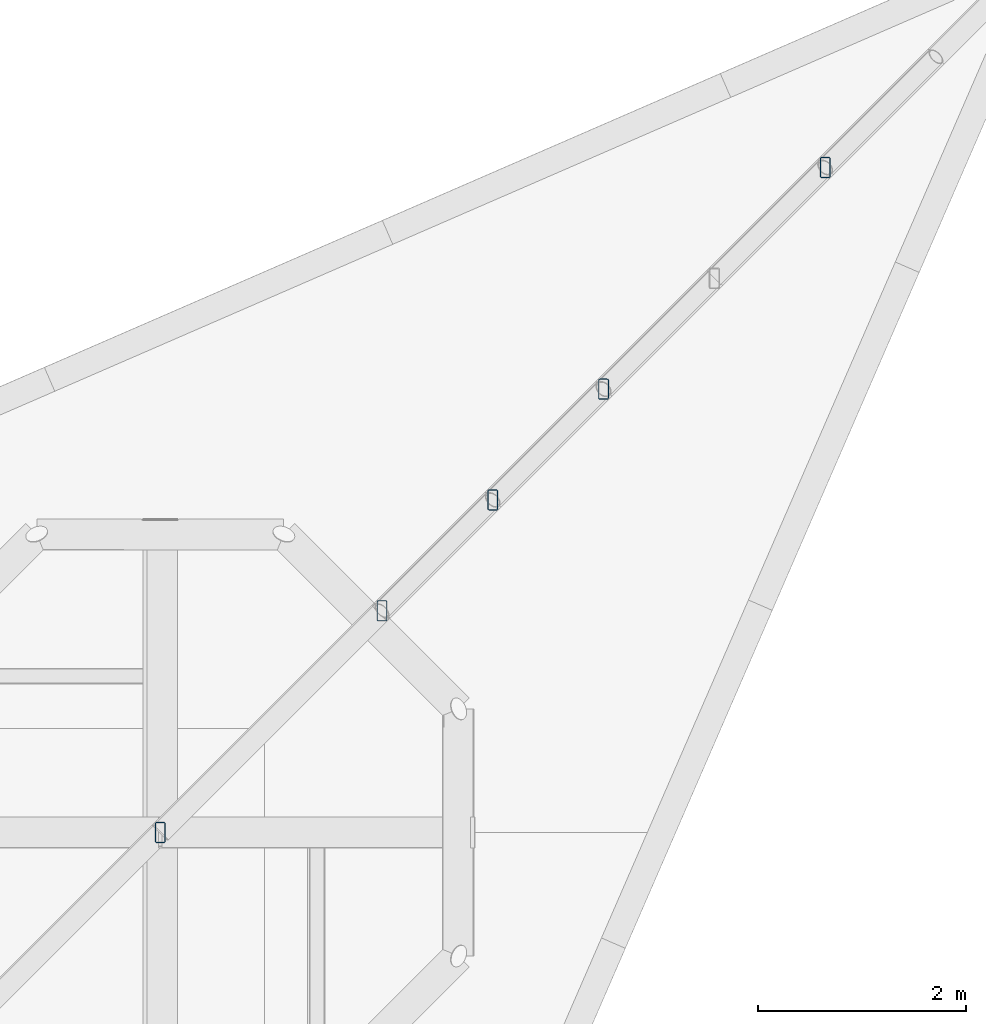
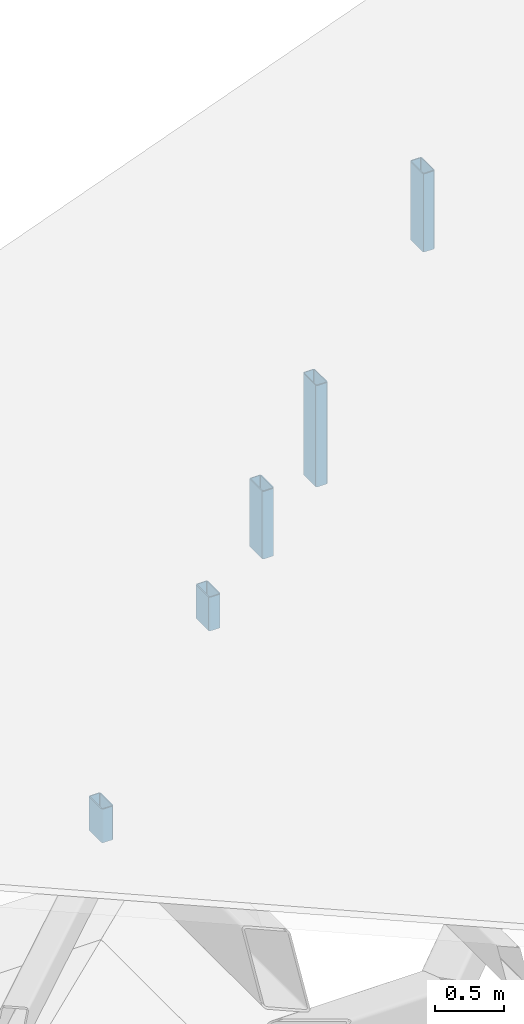
# One storey, part 45 of 95: 5 members.
"""IFC4 building model written with IfcOpenShell, lengths in metres."""

import ifcopenshell
import ifcopenshell.guid

model = None  # the IFC model being written
_history = None  # IfcOwnerHistory: only IFC2X3 demands one
_inside = {}  # id of a spatial element -> (the spatial element, [elements in it])
_under = {}  # id of a project, library or spatial element -> (it, [spatial elements below it])
_declared = {}  # id of a project -> (the project, [libraries it declares])
_typed = {}  # id of a type object -> (the type object, [elements of that type])
_made_of = {}  # id of a material, layer set ... -> (it, [elements and type objects made of it])


def new_model(schema):
    """Start an empty IFC model of exactly this schema.

    Asked for "IFC4X3", IfcOpenShell would pick the latest addendum, in which some entities
    have other attributes; the version numbers below select the first issue.
    IFC2X3 requires an IfcOwnerHistory on every rooted entity: one is made here for all.
    """
    global model, _history
    if schema == "IFC4X3":
        model = ifcopenshell.file(schema_version=(4, 3, 0, 0))
    else:
        model = ifcopenshell.file(schema=schema)
    _inside.clear()
    _under.clear()
    _declared.clear()
    _typed.clear()
    _made_of.clear()
    _history = None
    if model.schema == "IFC2X3":
        org = make("IfcOrganization", Name="unknown")
        user = make(
            "IfcPersonAndOrganization",
            ThePerson=make("IfcPerson", FamilyName="unknown"),
            TheOrganization=org,
        )
        app = make(
            "IfcApplication",
            ApplicationDeveloper=org,
            Version="unknown",
            ApplicationFullName="unknown",
            ApplicationIdentifier="unknown",
        )
        _history = make(
            "IfcOwnerHistory",
            OwningUser=user,
            OwningApplication=app,
            ChangeAction="ADDED",
            CreationDate=0,
        )
    return model


def make(cls, **values):
    """One entity of the class cls with the attributes given. An attribute that is None is left unset."""
    return model.create_entity(
        cls, **{name: value for name, value in values.items() if value is not None}
    )


def rooted(cls, **values):
    """An entity with a GlobalId (a new one), such as an element, a storey or a relation."""
    return make(cls, GlobalId=ifcopenshell.guid.new(), OwnerHistory=_history, **values)


def si_unit(unit_type, name, prefix=None):
    """IfcSIUnit, for example si_unit("LENGTHUNIT", "METRE", prefix="MILLI")."""
    return make("IfcSIUnit", UnitType=unit_type, Prefix=prefix, Name=name)


def assignment(units):
    """IfcUnitAssignment: the units of a project."""
    return None if units is None else make("IfcUnitAssignment", Units=units)


def point(xyz):
    """IfcCartesianPoint."""
    return None if xyz is None else make("IfcCartesianPoint", Coordinates=xyz)


def direction(xyz):
    """IfcDirection."""
    return None if xyz is None else make("IfcDirection", DirectionRatios=xyz)


def frame(location, z_axis=None, x_axis=None):
    """IfcAxis2Placement3D, a coordinate frame: its origin and axes. An axis left out is left unset."""
    return make(
        "IfcAxis2Placement3D",
        Location=point(location),
        Axis=direction(z_axis),
        RefDirection=direction(x_axis),
    )


def frame_2d(location, x_axis=None):
    """IfcAxis2Placement2D, a coordinate frame in the plane: its origin and x axis."""
    return make(
        "IfcAxis2Placement2D", Location=point(location), RefDirection=direction(x_axis)
    )


def origin():
    """The frame at (0, 0, 0) with its axes left unset."""
    return frame((0.0, 0.0, 0.0))


def origin_2d():
    """The frame at (0, 0) in the plane with its x axis left unset."""
    return frame_2d((0.0, 0.0))


def place(relative_to, where):
    """IfcLocalPlacement: puts the frame where relative to a parent placement (None: the world)."""
    return make(
        "IfcLocalPlacement", PlacementRelTo=relative_to, RelativePlacement=where
    )


def context(
    kind, dimensions, precision=None, world=None, true_north=None, identifier=None
):
    """IfcGeometricRepresentationContext, for example the 3D "Model" context."""
    return make(
        "IfcGeometricRepresentationContext",
        ContextIdentifier=identifier,
        ContextType=kind,
        CoordinateSpaceDimension=dimensions,
        Precision=precision,
        WorldCoordinateSystem=world,
        TrueNorth=true_north,
    )


def subcontext(parent, identifier, kind, view, scale=None):
    """IfcGeometricRepresentationSubContext, for example "Body" below "Model"."""
    return make(
        "IfcGeometricRepresentationSubContext",
        ContextIdentifier=identifier,
        ContextType=kind,
        ParentContext=parent,
        TargetScale=scale,
        TargetView=view,
    )


def project(units=None, contexts=None):
    """IfcProject with its units and contexts."""
    return rooted(
        "IfcProject",
        Name="project",
        RepresentationContexts=contexts,
        UnitsInContext=assignment(units),
    )


def spatial(cls, under=None, at=None, **own):
    """A site, building, storey or space (cls), placed at a placement, below another one or the project."""
    s = rooted(cls, ObjectPlacement=at, **own)
    if under is not None:
        _under.setdefault(under.id(), (under, []))[1].append(s)
    return s


def profile(cls, at=None, kind="AREA", **sizes):
    """A parametric profile (cls). Its sizes go by their IFC names, for example OverallWidth=200.0."""
    return make(cls, ProfileType=kind, Position=at, **sizes)


def hollow_rectangle(**sizes):
    """IfcRectangleHollowProfileDef."""
    return profile("IfcRectangleHollowProfileDef", **sizes)


def extrude(swept, where, along, depth):
    """IfcExtrudedAreaSolid: the profile swept, set in the frame where, extruded along a direction by depth."""
    return make(
        "IfcExtrudedAreaSolid",
        SweptArea=swept,
        Position=where,
        ExtrudedDirection=direction(along),
        Depth=depth,
    )


def shape(context_of_items, identifier, shape_type, items):
    """IfcShapeRepresentation: the items that make up one representation, for example the "Body"."""
    return make(
        "IfcShapeRepresentation",
        ContextOfItems=context_of_items,
        RepresentationIdentifier=identifier,
        RepresentationType=shape_type,
        Items=items,
    )


def material(Name=None, Category=None):
    """IfcMaterial."""
    return make("IfcMaterial", Name=Name, Category=Category)


def material_profile(
    of_material, cross_section, Name=None, Category=None, Priority=None
):
    """IfcMaterialProfile: a cross section and its material."""
    return make(
        "IfcMaterialProfile",
        Name=Name,
        Material=of_material,
        Profile=cross_section,
        Priority=Priority,
        Category=Category,
    )


def profile_set(profiles, Name=None, composite=None):
    """IfcMaterialProfileSet."""
    return make(
        "IfcMaterialProfileSet",
        Name=Name,
        MaterialProfiles=profiles,
        CompositeProfile=composite,
    )


def made_of(thing, what):
    """Note that an element or type object is made of a material, layer set ...; save() writes the relation."""
    if what is not None:
        _made_of.setdefault(what.id(), (what, []))[1].append(thing)
    return thing


def type_object(cls, material=None, **own):
    """A type object (cls), such as IfcWallType, which elements share."""
    return made_of(rooted(cls, **own), material)


def element(
    cls,
    number,
    at=None,
    inside=None,
    cuts=None,
    type_object=None,
    material=None,
    context=None,
    identifier="Body",
    shape_type=None,
    held_by="IfcProductDefinitionShape",
    body=None,
    shapes=None,
    **own,
):
    """One element of the class cls, such as IfcWall. Its Tag is "e" and its number.

    at: its placement. inside: the storey or other place that contains it. cuts: it is an
    opening in that element (IfcRelVoidsElement). A single representation is given by context,
    identifier, shape_type and body (its items); several are given by shapes. held_by: the class
    of the entity that holds the representations. save() writes the other relations.
    """
    e = rooted(cls, Tag="e%d" % number, ObjectPlacement=at, **own)
    if body is not None:
        shapes = [shape(context, identifier, shape_type, body)]
    if shapes is not None:
        e.Representation = make(held_by, Representations=shapes)
    if inside is not None:
        _inside.setdefault(inside.id(), (inside, []))[1].append(e)
    if cuts is not None:
        rooted(
            "IfcRelVoidsElement", RelatingBuildingElement=cuts, RelatedOpeningElement=e
        )
    if type_object is not None:
        _typed.setdefault(type_object.id(), (type_object, []))[1].append(e)
    return made_of(e, material)


def aggregate(whole, parts):
    """IfcRelAggregates: a whole, such as a stair, and the parts it consists of."""
    return rooted("IfcRelAggregates", RelatingObject=whole, RelatedObjects=parts)


def save(model, path):
    """Write the relations noted so far, then the file.

    IfcRelAggregates (storeys below a building ...), IfcRelContainedInSpatialStructure (elements
    in a storey), IfcRelDefinesByType, IfcRelAssociatesMaterial and IfcRelDeclares: one each for
    every whole, place, type object, material and project.
    """
    for whole, parts in _under.values():
        aggregate(whole, parts)
    for where, things in _inside.values():
        rooted(
            "IfcRelContainedInSpatialStructure",
            RelatedElements=things,
            RelatingStructure=where,
        )
    for kind, things in _typed.values():
        rooted("IfcRelDefinesByType", RelatedObjects=things, RelatingType=kind)
    for what, things in _made_of.values():
        rooted("IfcRelAssociatesMaterial", RelatedObjects=things, RelatingMaterial=what)
    for by, libraries in _declared.values():
        rooted("IfcRelDeclares", RelatingContext=by, RelatedDefinitions=libraries)
    model.write(path)


model = new_model("IFC4")

# Units and contexts
model_context = context("Model", 3, precision=1e-05, world=origin(), true_north=direction((0.0, 1.0)))
body_context = subcontext(model_context, "Body", "Model", "MODEL_VIEW")
ifc_project = project(units=[si_unit("LENGTHUNIT", "METRE"), si_unit("AREAUNIT", "SQUARE_METRE"), si_unit("VOLUMEUNIT", "CUBIC_METRE"), si_unit("PLANEANGLEUNIT", "RADIAN"), si_unit("MASSUNIT", "GRAM", prefix="KILO")], contexts=[model_context])

# Site, building, storey
site_placement = place(None, origin())
site = spatial("IfcSite", under=ifc_project, at=site_placement, CompositionType="ELEMENT")
building_placement = place(site_placement, origin())
building = spatial("IfcBuilding", under=site, at=building_placement, Name="Magnolia Steps Interchange", CompositionType="ELEMENT")
storey_placement = place(building_placement, frame((0.0, 0.0, 4.800048828125)))
storey = spatial("IfcBuildingStorey", under=building, at=storey_placement, Name="L01", CompositionType="ELEMENT", Elevation=4.800048828125)

# Members
ifc_material = material(Name="Steel Q355B", Category="steel")
ifc_material_profile = material_profile(ifc_material, hollow_rectangle(XDim=0.10009765625, YDim=0.199951171875, WallThickness=0.008056640625, InnerFilletRadius=0.008056640625, OuterFilletRadius=0.01611328125, at=origin_2d()), Name="RHS200x100x8")
ifc_profile_set = profile_set([ifc_material_profile], Name="Steel Q355B")
member_type = type_object("IfcMemberType", Name="Roof truss post RHS200x100x8", PredefinedType="USERDEFINED", material=ifc_profile_set)
member_1_placement = place(storey_placement, frame((182.800048828125, 74.800048828125, 1.117919921875), z_axis=(0.0, 0.0, 1.0), x_axis=(1.0, 0.0, 0.0)))
element("IfcMember", 1, at=member_1_placement, inside=storey, type_object=member_type, Name="Spike truss SP-C-NE post", ObjectType="Roof truss post", PredefinedType="USERDEFINED", context=body_context, shape_type="SweptSolid", body=[
    extrude(hollow_rectangle(XDim=0.10009765625, YDim=0.199951171875, WallThickness=0.008056640625, InnerFilletRadius=0.008056640625, OuterFilletRadius=0.01611328125, at=origin_2d()), origin(), (0.0, 0.0, 1.0), 0.300048828125),
])
member_2_placement = place(storey_placement, frame((184.93115234375, 76.93115234375, 0.962646484375), z_axis=(0.0, 0.0, 1.0), x_axis=(1.0, 0.0, 0.0)))
element("IfcMember", 2, at=member_2_placement, inside=storey, type_object=member_type, Name="Spike truss SP-C-NE post", ObjectType="Roof truss post", PredefinedType="USERDEFINED", context=body_context, shape_type="SweptSolid", body=[
    extrude(hollow_rectangle(XDim=0.10009765625, YDim=0.199951171875, WallThickness=0.008056640625, InnerFilletRadius=0.008056640625, OuterFilletRadius=0.01611328125, at=origin_2d()), origin(), (0.0, 0.0, 1.0), 0.2998046875),
])
member_3_placement = place(storey_placement, frame((185.99609375, 77.99609375, 0.583740234375), z_axis=(0.0, 0.0, 1.0), x_axis=(1.0, 0.0, 0.0)))
element("IfcMember", 3, at=member_3_placement, inside=storey, type_object=member_type, Name="Spike truss SP-C-NE post", ObjectType="Roof truss post", PredefinedType="USERDEFINED", context=body_context, shape_type="SweptSolid", body=[
    extrude(hollow_rectangle(XDim=0.10009765625, YDim=0.199951171875, WallThickness=0.008056640625, InnerFilletRadius=0.008056640625, OuterFilletRadius=0.01611328125, at=origin_2d()), origin(), (0.0, 0.0, 1.0), 0.601318359375),
])
member_4_placement = place(storey_placement, frame((187.06103515625, 79.06103515625, 0.204833984375), z_axis=(0.0, 0.0, 1.0), x_axis=(1.0, 0.0, 0.0)))
element("IfcMember", 4, at=member_4_placement, inside=storey, type_object=member_type, Name="Spike truss SP-C-NE post", ObjectType="Roof truss post", PredefinedType="USERDEFINED", context=body_context, shape_type="SweptSolid", body=[
    extrude(hollow_rectangle(XDim=0.10009765625, YDim=0.199951171875, WallThickness=0.008056640625, InnerFilletRadius=0.008056640625, OuterFilletRadius=0.01611328125, at=origin_2d()), origin(), (0.0, 0.0, 1.0), 0.90234375),
])
member_5_placement = place(storey_placement, frame((189.19091796875, 81.19091796875, 0.255859375), z_axis=(0.0, 0.0, 1.0), x_axis=(1.0, 0.0, 0.0)))
element("IfcMember", 5, at=member_5_placement, inside=storey, type_object=member_type, Name="Spike truss SP-C-NE post", ObjectType="Roof truss post", PredefinedType="USERDEFINED", context=body_context, shape_type="SweptSolid", body=[
    extrude(hollow_rectangle(XDim=0.10009765625, YDim=0.199951171875, WallThickness=0.008056640625, InnerFilletRadius=0.008056640625, OuterFilletRadius=0.01611328125, at=origin_2d()), origin(), (0.0, 0.0, 1.0), 0.696044921875),
])

save(model, "model.ifc")
